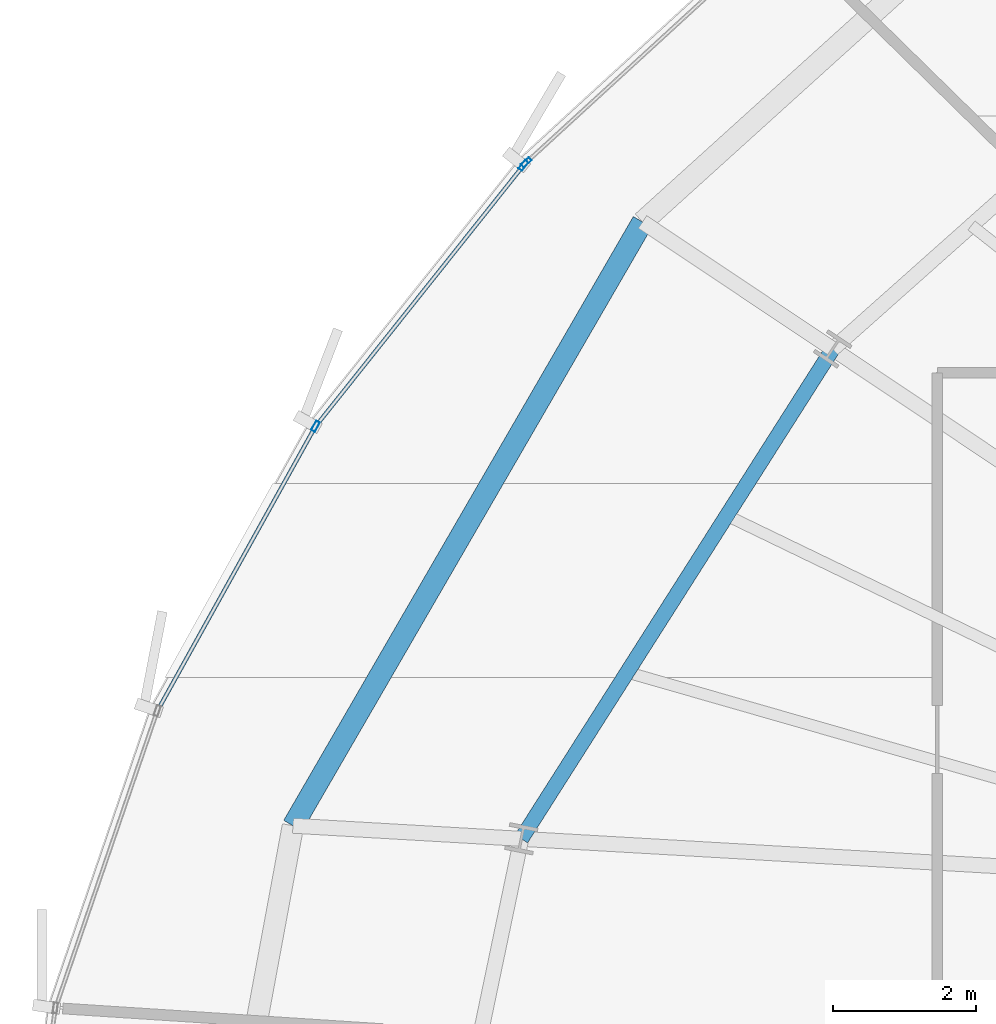
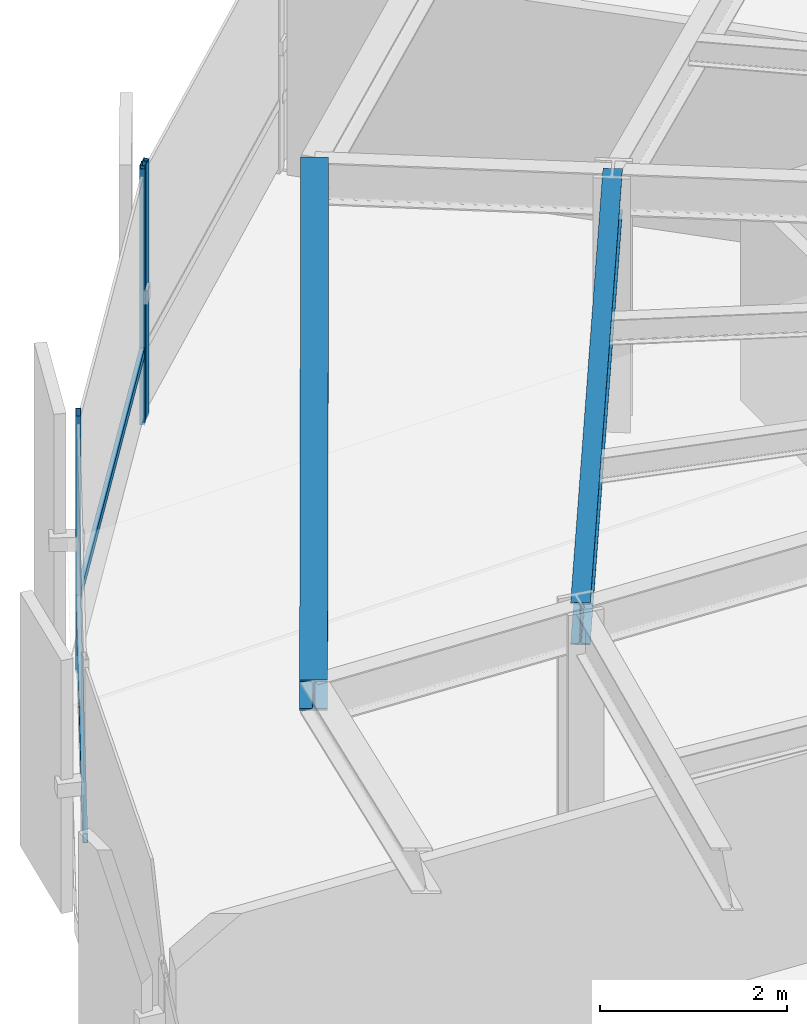
# One storey, part 17 of 35: 5 members, 2 beams, 2 elements without a shape of their own.
"""IFC4 building model written with IfcOpenShell, lengths in metres."""

import ifcopenshell
import ifcopenshell.guid

model = None  # the IFC model being written
_history = None  # IfcOwnerHistory: only IFC2X3 demands one
_inside = {}  # id of a spatial element -> (the spatial element, [elements in it])
_under = {}  # id of a project, library or spatial element -> (it, [spatial elements below it])
_declared = {}  # id of a project -> (the project, [libraries it declares])
_typed = {}  # id of a type object -> (the type object, [elements of that type])
_made_of = {}  # id of a material, layer set ... -> (it, [elements and type objects made of it])


def new_model(schema):
    """Start an empty IFC model of exactly this schema.

    Asked for "IFC4X3", IfcOpenShell would pick the latest addendum, in which some entities
    have other attributes; the version numbers below select the first issue.
    IFC2X3 requires an IfcOwnerHistory on every rooted entity: one is made here for all.
    """
    global model, _history
    if schema == "IFC4X3":
        model = ifcopenshell.file(schema_version=(4, 3, 0, 0))
    else:
        model = ifcopenshell.file(schema=schema)
    _inside.clear()
    _under.clear()
    _declared.clear()
    _typed.clear()
    _made_of.clear()
    _history = None
    if model.schema == "IFC2X3":
        org = make("IfcOrganization", Name="unknown")
        user = make(
            "IfcPersonAndOrganization",
            ThePerson=make("IfcPerson", FamilyName="unknown"),
            TheOrganization=org,
        )
        app = make(
            "IfcApplication",
            ApplicationDeveloper=org,
            Version="unknown",
            ApplicationFullName="unknown",
            ApplicationIdentifier="unknown",
        )
        _history = make(
            "IfcOwnerHistory",
            OwningUser=user,
            OwningApplication=app,
            ChangeAction="ADDED",
            CreationDate=0,
        )
    return model


def make(cls, **values):
    """One entity of the class cls with the attributes given. An attribute that is None is left unset."""
    return model.create_entity(
        cls, **{name: value for name, value in values.items() if value is not None}
    )


def rooted(cls, **values):
    """An entity with a GlobalId (a new one), such as an element, a storey or a relation."""
    return make(cls, GlobalId=ifcopenshell.guid.new(), OwnerHistory=_history, **values)


def si_unit(unit_type, name, prefix=None):
    """IfcSIUnit, for example si_unit("LENGTHUNIT", "METRE", prefix="MILLI")."""
    return make("IfcSIUnit", UnitType=unit_type, Prefix=prefix, Name=name)


def assignment(units):
    """IfcUnitAssignment: the units of a project."""
    return None if units is None else make("IfcUnitAssignment", Units=units)


def point(xyz):
    """IfcCartesianPoint."""
    return None if xyz is None else make("IfcCartesianPoint", Coordinates=xyz)


def direction(xyz):
    """IfcDirection."""
    return None if xyz is None else make("IfcDirection", DirectionRatios=xyz)


def frame(location, z_axis=None, x_axis=None):
    """IfcAxis2Placement3D, a coordinate frame: its origin and axes. An axis left out is left unset."""
    return make(
        "IfcAxis2Placement3D",
        Location=point(location),
        Axis=direction(z_axis),
        RefDirection=direction(x_axis),
    )


def frame_2d(location, x_axis=None):
    """IfcAxis2Placement2D, a coordinate frame in the plane: its origin and x axis."""
    return make(
        "IfcAxis2Placement2D", Location=point(location), RefDirection=direction(x_axis)
    )


def origin():
    """The frame at (0, 0, 0) with its axes left unset."""
    return frame((0.0, 0.0, 0.0))


def origin_2d():
    """The frame at (0, 0) in the plane with its x axis left unset."""
    return frame_2d((0.0, 0.0))


def place(relative_to, where):
    """IfcLocalPlacement: puts the frame where relative to a parent placement (None: the world)."""
    return make(
        "IfcLocalPlacement", PlacementRelTo=relative_to, RelativePlacement=where
    )


def context(
    kind, dimensions, precision=None, world=None, true_north=None, identifier=None
):
    """IfcGeometricRepresentationContext, for example the 3D "Model" context."""
    return make(
        "IfcGeometricRepresentationContext",
        ContextIdentifier=identifier,
        ContextType=kind,
        CoordinateSpaceDimension=dimensions,
        Precision=precision,
        WorldCoordinateSystem=world,
        TrueNorth=true_north,
    )


def subcontext(parent, identifier, kind, view, scale=None):
    """IfcGeometricRepresentationSubContext, for example "Body" below "Model"."""
    return make(
        "IfcGeometricRepresentationSubContext",
        ContextIdentifier=identifier,
        ContextType=kind,
        ParentContext=parent,
        TargetScale=scale,
        TargetView=view,
    )


def project(units=None, contexts=None):
    """IfcProject with its units and contexts."""
    return rooted(
        "IfcProject",
        Name="project",
        RepresentationContexts=contexts,
        UnitsInContext=assignment(units),
    )


def spatial(cls, under=None, at=None, **own):
    """A site, building, storey or space (cls), placed at a placement, below another one or the project."""
    s = rooted(cls, ObjectPlacement=at, **own)
    if under is not None:
        _under.setdefault(under.id(), (under, []))[1].append(s)
    return s


def profile(cls, at=None, kind="AREA", **sizes):
    """A parametric profile (cls). Its sizes go by their IFC names, for example OverallWidth=200.0."""
    return make(cls, ProfileType=kind, Position=at, **sizes)


def hollow_rectangle(**sizes):
    """IfcRectangleHollowProfileDef."""
    return profile("IfcRectangleHollowProfileDef", **sizes)


def i_section(**sizes):
    """IfcIShapeProfileDef."""
    return profile("IfcIShapeProfileDef", **sizes)


def extrude(swept, where, along, depth):
    """IfcExtrudedAreaSolid: the profile swept, set in the frame where, extruded along a direction by depth."""
    return make(
        "IfcExtrudedAreaSolid",
        SweptArea=swept,
        Position=where,
        ExtrudedDirection=direction(along),
        Depth=depth,
    )


def shape(context_of_items, identifier, shape_type, items):
    """IfcShapeRepresentation: the items that make up one representation, for example the "Body"."""
    return make(
        "IfcShapeRepresentation",
        ContextOfItems=context_of_items,
        RepresentationIdentifier=identifier,
        RepresentationType=shape_type,
        Items=items,
    )


def source(mapping_origin, context_of_items, identifier, shape_type, items):
    """IfcRepresentationMap: a shape defined once, which mapped items show again and again."""
    return make(
        "IfcRepresentationMap",
        MappingOrigin=mapping_origin,
        MappedRepresentation=shape(context_of_items, identifier, shape_type, items),
    )


def transform(
    local_origin,
    x_axis=None,
    y_axis=None,
    z_axis=None,
    scale=None,
    scale2=None,
    scale3=None,
    uniform=True,
):
    """IfcCartesianTransformationOperator3D, or its non-uniform kind. x_axis, y_axis, z_axis: its Axis1, 2, 3."""
    if uniform:
        return make(
            "IfcCartesianTransformationOperator3D",
            Axis1=direction(x_axis),
            Axis2=direction(y_axis),
            LocalOrigin=point(local_origin),
            Scale=scale,
            Axis3=direction(z_axis),
        )
    return make(
        "IfcCartesianTransformationOperator3DnonUniform",
        Axis1=direction(x_axis),
        Axis2=direction(y_axis),
        LocalOrigin=point(local_origin),
        Scale=scale,
        Axis3=direction(z_axis),
        Scale2=scale2,
        Scale3=scale3,
    )


def mapped(mapping_source, mapping_target):
    """IfcMappedItem: shows the shape of a source again, moved by a transform."""
    return make(
        "IfcMappedItem", MappingSource=mapping_source, MappingTarget=mapping_target
    )


def material(Name=None, Category=None):
    """IfcMaterial."""
    return make("IfcMaterial", Name=Name, Category=Category)


def layer(
    of_material, thickness, ventilated=None, Name=None, Category=None, Priority=None
):
    """IfcMaterialLayer: one layer of a wall or slab, of a material (None: an air gap)."""
    return make(
        "IfcMaterialLayer",
        Material=of_material,
        LayerThickness=thickness,
        IsVentilated=ventilated,
        Name=Name,
        Category=Category,
        Priority=Priority,
    )


def layer_set(layers, Name=None):
    """IfcMaterialLayerSet."""
    return make("IfcMaterialLayerSet", MaterialLayers=layers, LayerSetName=Name)


def material_profile(
    of_material, cross_section, Name=None, Category=None, Priority=None
):
    """IfcMaterialProfile: a cross section and its material."""
    return make(
        "IfcMaterialProfile",
        Name=Name,
        Material=of_material,
        Profile=cross_section,
        Priority=Priority,
        Category=Category,
    )


def profile_set(profiles, Name=None, composite=None):
    """IfcMaterialProfileSet."""
    return make(
        "IfcMaterialProfileSet",
        Name=Name,
        MaterialProfiles=profiles,
        CompositeProfile=composite,
    )


def made_of(thing, what):
    """Note that an element or type object is made of a material, layer set ...; save() writes the relation."""
    if what is not None:
        _made_of.setdefault(what.id(), (what, []))[1].append(thing)
    return thing


def type_object(cls, material=None, **own):
    """A type object (cls), such as IfcWallType, which elements share."""
    return made_of(rooted(cls, **own), material)


def element(
    cls,
    number,
    at=None,
    inside=None,
    cuts=None,
    type_object=None,
    material=None,
    context=None,
    identifier="Body",
    shape_type=None,
    held_by="IfcProductDefinitionShape",
    body=None,
    shapes=None,
    **own,
):
    """One element of the class cls, such as IfcWall. Its Tag is "e" and its number.

    at: its placement. inside: the storey or other place that contains it. cuts: it is an
    opening in that element (IfcRelVoidsElement). A single representation is given by context,
    identifier, shape_type and body (its items); several are given by shapes. held_by: the class
    of the entity that holds the representations. save() writes the other relations.
    """
    e = rooted(cls, Tag="e%d" % number, ObjectPlacement=at, **own)
    if body is not None:
        shapes = [shape(context, identifier, shape_type, body)]
    if shapes is not None:
        e.Representation = make(held_by, Representations=shapes)
    if inside is not None:
        _inside.setdefault(inside.id(), (inside, []))[1].append(e)
    if cuts is not None:
        rooted(
            "IfcRelVoidsElement", RelatingBuildingElement=cuts, RelatedOpeningElement=e
        )
    if type_object is not None:
        _typed.setdefault(type_object.id(), (type_object, []))[1].append(e)
    return made_of(e, material)


def aggregate(whole, parts):
    """IfcRelAggregates: a whole, such as a stair, and the parts it consists of."""
    return rooted("IfcRelAggregates", RelatingObject=whole, RelatedObjects=parts)


def save(model, path):
    """Write the relations noted so far, then the file.

    IfcRelAggregates (storeys below a building ...), IfcRelContainedInSpatialStructure (elements
    in a storey), IfcRelDefinesByType, IfcRelAssociatesMaterial and IfcRelDeclares: one each for
    every whole, place, type object, material and project.
    """
    for whole, parts in _under.values():
        aggregate(whole, parts)
    for where, things in _inside.values():
        rooted(
            "IfcRelContainedInSpatialStructure",
            RelatedElements=things,
            RelatingStructure=where,
        )
    for kind, things in _typed.values():
        rooted("IfcRelDefinesByType", RelatedObjects=things, RelatingType=kind)
    for what, things in _made_of.values():
        rooted("IfcRelAssociatesMaterial", RelatedObjects=things, RelatingMaterial=what)
    for by, libraries in _declared.values():
        rooted("IfcRelDeclares", RelatingContext=by, RelatedDefinitions=libraries)
    model.write(path)


model = new_model("IFC4")

# Units and contexts
model_context = context("Model", 3, precision=1e-05, world=origin(), true_north=direction((0.0, 1.0)))
body_context = subcontext(model_context, "Body", "Model", "MODEL_VIEW")
ifc_project = project(units=[si_unit("LENGTHUNIT", "METRE"), si_unit("AREAUNIT", "SQUARE_METRE"), si_unit("VOLUMEUNIT", "CUBIC_METRE"), si_unit("PLANEANGLEUNIT", "RADIAN"), si_unit("MASSUNIT", "GRAM", prefix="KILO"), si_unit("THERMODYNAMICTEMPERATUREUNIT", "KELVIN")], contexts=[model_context])

# Site, building, storey
site_placement = place(None, origin())
site = spatial("IfcSite", under=ifc_project, at=site_placement, CompositionType="ELEMENT")
building_placement = place(site_placement, origin())
building = spatial("IfcBuilding", under=site, at=building_placement, Name="Kethvar Cultural Tower", CompositionType="ELEMENT")
storey_placement = place(building_placement, frame((0.0, 0.0, 121.60009765625)))
storey = spatial("IfcBuildingStorey", under=building, at=storey_placement, Name="L30", CompositionType="ELEMENT", Elevation=121.60009765625)

# Beams
ifc_material_1 = material(Name="Steel S355J2", Category="steel")
ifc_material_profile_1 = material_profile(ifc_material_1, i_section(OverallWidth=0.2099609375, OverallDepth=0.550048828125, WebThickness=0.010986328125, FlangeThickness=0.01708984375, FilletRadius=0.02392578125, at=origin_2d()), Name="Steel S355J2 — IPE550")
ifc_profile_set_1 = profile_set([ifc_material_profile_1], Name="Steel S355J2 — IPE550")
beam_type_1 = type_object("IfcBeamType", Name="BM-IPE550", PredefinedType="BEAM", material=ifc_profile_set_1)
shared_shape_1 = source(origin(), body_context, "Body", "SweptSolid", [
    extrude(i_section(OverallWidth=0.2099609375, OverallDepth=0.550048828125, WebThickness=0.010986328125, FlangeThickness=0.01708984375, FilletRadius=0.02392578125, at=origin_2d()), origin(), (0.0, 0.0, 1.0), 8.122314453125),
])
beam_1_placement = place(storey_placement, frame((30.345947265625, 38.794189453125, 3.072998046875), z_axis=(-0.536478664647, -0.843913883272, 0.0), x_axis=(0.843913883272, -0.536478664647, 0.0)))
element("IfcBeam", 1, at=beam_1_placement, inside=storey, type_object=beam_type_1, Name="L30 Column Ring Tie Beam CR-07", PredefinedType="BEAM", context=body_context, shape_type="MappedRepresentation", body=[
    mapped(shared_shape_1, transform((0.0, 0.0, 0.0), scale=1.0)),
])
ifc_material_profile_2 = material_profile(ifc_material_1, i_section(OverallWidth=0.300048828125, OverallDepth=0.39990234375, WebThickness=0.013427734375, FlangeThickness=0.02392578125, FilletRadius=0.027099609375, at=origin_2d()), Name="Steel S355J2 — HEB400")
ifc_profile_set_2 = profile_set([ifc_material_profile_2], Name="Steel S355J2 — HEB400")
beam_type_2 = type_object("IfcBeamType", Name="BM-SP400", PredefinedType="SPANDREL", material=ifc_profile_set_2)
shared_shape_2 = source(origin(), body_context, "Body", "SweptSolid", [
    extrude(i_section(OverallWidth=0.300048828125, OverallDepth=0.39990234375, WebThickness=0.013427734375, FlangeThickness=0.02392578125, FilletRadius=0.027099609375, at=origin_2d()), origin(), (0.0, 0.0, 1.0), 9.762939453125),
])
beam_2_placement = place(storey_placement, frame((27.685302734375, 40.572021484375, 3.14794921875), z_axis=(-0.501043170838, -0.865422290536, 0.0), x_axis=(0.865422290536, -0.501043170838, 0.0)))
element("IfcBeam", 2, at=beam_2_placement, inside=storey, type_object=beam_type_2, Name="L30 Perimeter Spandrel Beam SP-07", PredefinedType="SPANDREL", context=body_context, shape_type="MappedRepresentation", body=[
    mapped(shared_shape_2, transform((0.0, 0.0, 0.0), scale=1.0)),
])

# Curtain wall, member
ifc_material_2 = material(Name="Aluminium 6063-T6", Category="aluminium")
ifc_layer = layer(ifc_material_2, 0.179931640625, Name="Aluminium 6063-T6", Category="aluminium")
ifc_layer_set = layer_set([ifc_layer], Name="Aluminium 6063-T6 (180 mm)")
curtain_wall_type = type_object("IfcCurtainWallType", Name="CW-SYS-03-Z2", PredefinedType="NOTDEFINED", material=ifc_layer_set)
curtain_wall_1_placement = place(storey_placement, origin())
curtain_wall_1 = element("IfcCurtainWall", 3, at=curtain_wall_1_placement, inside=storey, type_object=curtain_wall_type, Name="L30 Curtain Wall Run 02", PredefinedType="NOTDEFINED")
ifc_material_profile_3 = material_profile(ifc_material_2, hollow_rectangle(XDim=0.06005859375, YDim=0.14990234375, WallThickness=0.0048828125, at=origin_2d()), Name="Aluminium 6063-T6 — RHS150x60x5")
ifc_profile_set_3 = profile_set([ifc_material_profile_3], Name="Aluminium 6063-T6 — RHS150x60x5")
member_type_1 = type_object("IfcMemberType", Name="CW-SYS-03-Z2-MUL", PredefinedType="MULLION", material=ifc_profile_set_3)
shared_shape_3 = source(origin(), body_context, "Body", "SweptSolid", [
    extrude(hollow_rectangle(XDim=0.06005859375, YDim=0.14990234375, WallThickness=0.0048828125, at=origin_2d()), origin(), (0.0, 0.0, 1.0), 3.349853515625),
])
member_1_placement = place(storey_placement, frame((26.059814453125, 41.406005859375, 0.0), z_axis=(0.0, 0.0, 1.0), x_axis=(0.675860388489, -0.73702967055, 0.0)))
member_1 = element("IfcMember", 4, at=member_1_placement, type_object=member_type_1, Name="CW-L30-R02 Mullion 7", PredefinedType="MULLION", context=body_context, shape_type="MappedRepresentation", body=[
    mapped(shared_shape_3, transform((0.0, 0.0, 0.0), scale=1.0)),
])
aggregate(curtain_wall_1, [member_1])

# Curtain wall, members
curtain_wall_2_placement = place(storey_placement, origin())
curtain_wall_2 = element("IfcCurtainWall", 5, at=curtain_wall_2_placement, inside=storey, type_object=curtain_wall_type, Name="L30 Curtain Wall Run 03", PredefinedType="NOTDEFINED")
member_2_placement = place(storey_placement, frame((26.018798828125, 41.3623046875, 0.0), z_axis=(0.0, 0.0, 1.0), x_axis=(0.78212986921, -0.623115452938, 0.0)))
member_2 = element("IfcMember", 6, at=member_2_placement, type_object=member_type_1, Name="CW-L30-R03 Mullion 1", PredefinedType="MULLION", context=body_context, shape_type="MappedRepresentation", body=[
    mapped(shared_shape_3, transform((0.0, 0.0, 0.0), scale=1.0)),
])
member_3_placement = place(storey_placement, frame((23.10888671875, 37.71240234375, 0.0), z_axis=(0.0, 0.0, 1.0), x_axis=(0.874145444111, -0.485664228187, 0.0)))
member_3 = element("IfcMember", 7, at=member_3_placement, type_object=member_type_1, Name="CW-L30-R03 Mullion 2", PredefinedType="MULLION", context=body_context, shape_type="MappedRepresentation", body=[
    mapped(shared_shape_3, transform((0.0, 0.0, 0.0), scale=1.0)),
])
ifc_material_profile_4 = material_profile(ifc_material_2, hollow_rectangle(XDim=0.054931640625, YDim=0.1201171875, WallThickness=0.00390625, at=origin_2d()), Name="Aluminium 6063-T6 — RHS120x55x4")
ifc_profile_set_4 = profile_set([ifc_material_profile_4], Name="Aluminium 6063-T6 — RHS120x55x4")
member_type_2 = type_object("IfcMemberType", Name="CW-SYS-03-Z2-TRN", PredefinedType="USERDEFINED", material=ifc_profile_set_4)
shared_shape_4 = source(origin(), body_context, "Body", "SweptSolid", [
    extrude(hollow_rectangle(XDim=0.054931640625, YDim=0.1201171875, WallThickness=0.00390625, at=origin_2d()), origin(), (0.0, 0.0, 1.0), 4.48876953125),
])
member_4_placement = place(storey_placement, frame((23.087890625, 37.674560546875, 0.949951171875), z_axis=(-0.485647549183, -0.874154710547, 0.0), x_axis=(0.874154710547, -0.485647549183, 0.0)))
member_4 = element("IfcMember", 8, at=member_4_placement, type_object=member_type_2, Name="CW-L30-R03 Transom 2", ObjectType="TRANSOM", PredefinedType="USERDEFINED", context=body_context, shape_type="MappedRepresentation", body=[
    mapped(shared_shape_4, transform((0.0, 0.0, 0.0), scale=1.0)),
])
shared_shape_5 = source(origin(), body_context, "Body", "SweptSolid", [
    extrude(hollow_rectangle(XDim=0.054931640625, YDim=0.1201171875, WallThickness=0.00390625, at=origin_2d()), origin(), (0.0, 0.0, 1.0), 4.6396484375),
])
member_5_placement = place(storey_placement, frame((26.01611328125, 41.359130859375, 0.949951171875), z_axis=(-0.623083008426, -0.782155716345, 0.0), x_axis=(0.782155716345, -0.623083008426, 0.0)))
member_5 = element("IfcMember", 9, at=member_5_placement, type_object=member_type_2, Name="CW-L30-R03 Transom 1", ObjectType="TRANSOM", PredefinedType="USERDEFINED", context=body_context, shape_type="MappedRepresentation", body=[
    mapped(shared_shape_5, transform((0.0, 0.0, 0.0), scale=1.0)),
])
aggregate(curtain_wall_2, [member_2, member_3, member_5, member_4])

save(model, "model.ifc")
